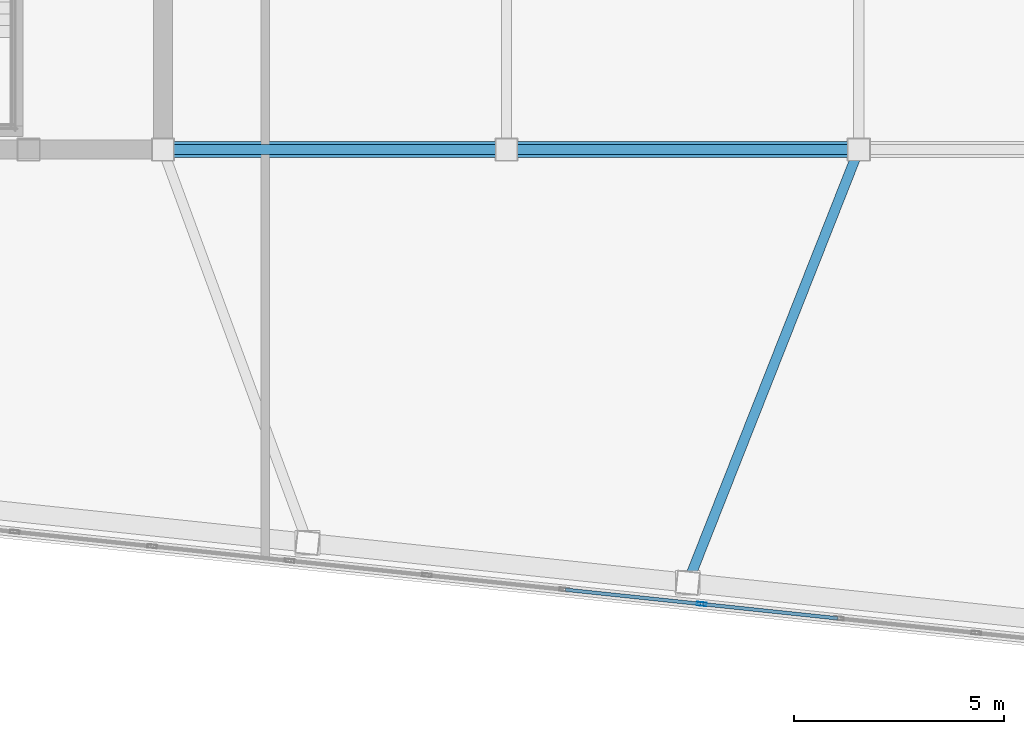
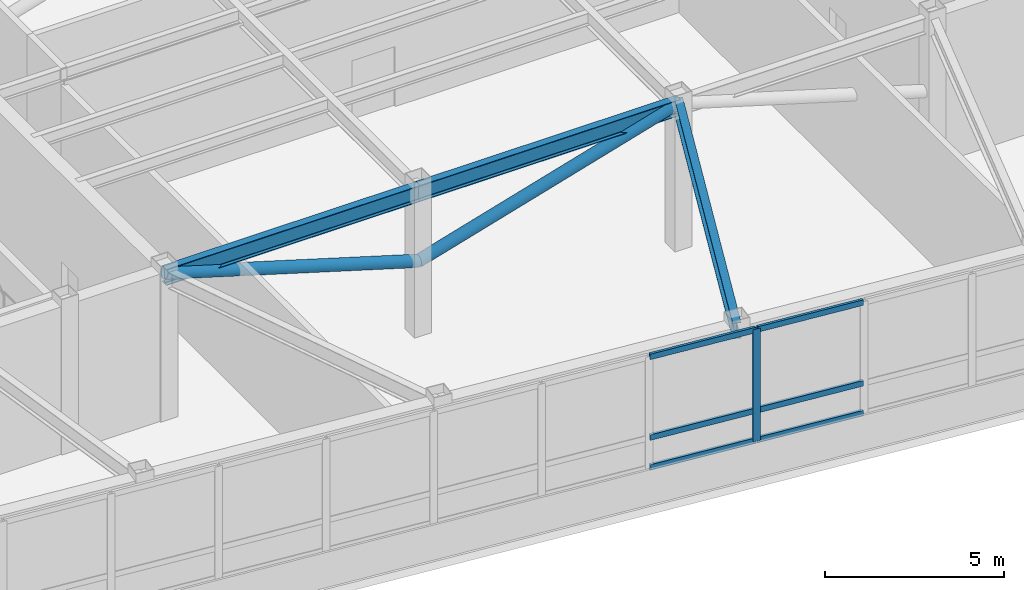
# One storey, part 5 of 23: 9 members, 3 beams, 1 element without a shape of its own.
"""IFC4 building model written with IfcOpenShell, lengths in metres."""

from ifc_helpers import new_model, si_unit, direction, frame, origin, origin_2d, place, context, subcontext, project, spatial, hollow_rectangle, hollow_circle, i_section, extrude, material, layer, layer_set, material_profile, profile_set, type_object, element, aggregate, save


model = new_model("IFC4")

# Units and contexts
model_context = context("Model", 3, precision=1e-05, world=origin(), true_north=direction((0.0, 1.0)))
body_context = subcontext(model_context, "Body", "Model", "MODEL_VIEW")
ifc_project = project(units=[si_unit("LENGTHUNIT", "METRE"), si_unit("AREAUNIT", "SQUARE_METRE"), si_unit("VOLUMEUNIT", "CUBIC_METRE"), si_unit("PLANEANGLEUNIT", "RADIAN"), si_unit("MASSUNIT", "GRAM", prefix="KILO")], contexts=[model_context])

# Site, building, storey
site_placement = place(None, origin())
site = spatial("IfcSite", under=ifc_project, at=site_placement, CompositionType="ELEMENT")
building_placement = place(site_placement, origin())
building = spatial("IfcBuilding", under=site, at=building_placement, Name="Voryun Gate Residences", CompositionType="ELEMENT")
storey_placement = place(building_placement, frame((0.0, 0.0, 321.300048828125)))
storey = spatial("IfcBuildingStorey", under=building, at=storey_placement, Name="L79", CompositionType="ELEMENT", Elevation=321.300048828125)

# Beams
ifc_material_1 = material(Name="Steel SM355", Category="steel")
ifc_material_profile_1 = material_profile(ifc_material_1, i_section(OverallWidth=0.239990234375, OverallDepth=0.550048828125, WebThickness=0.011962890625, FlangeThickness=0.02001953125, FilletRadius=0.01806640625, at=origin_2d()), Name="H-550x240x12x20")
ifc_profile_set_1 = profile_set([ifc_material_profile_1], Name="Steel SM355")
beam_type = type_object("IfcBeamType", Name="BM_GIRD_550", PredefinedType="USERDEFINED", material=ifc_profile_set_1)
beam_1_placement = place(storey_placement, frame((-12.39990234375, -7.39990234375, 4.75), z_axis=(1.0, 0.0, 0.0), x_axis=(0.0, 1.0, 0.0)))
element("IfcBeam", 1, at=beam_1_placement, inside=storey, type_object=beam_type, Name="BM-L79-SPG1-S", ObjectType="GIRDER", PredefinedType="USERDEFINED", context=body_context, shape_type="SweptSolid", body=[
    extrude(i_section(OverallWidth=0.239990234375, OverallDepth=0.550048828125, WebThickness=0.011962890625, FlangeThickness=0.02001953125, FilletRadius=0.01806640625, at=origin_2d()), origin(), (0.0, 0.0, 1.0), 8.199951171875),
])
beam_2_placement = place(storey_placement, frame((-4.199951171875, -7.39990234375, 4.75), z_axis=(1.0, 0.0, 0.0), x_axis=(0.0, 1.0, 0.0)))
element("IfcBeam", 2, at=beam_2_placement, inside=storey, type_object=beam_type, Name="BM-L79-SPG2-S", ObjectType="GIRDER", PredefinedType="USERDEFINED", context=body_context, shape_type="SweptSolid", body=[
    extrude(i_section(OverallWidth=0.239990234375, OverallDepth=0.550048828125, WebThickness=0.011962890625, FlangeThickness=0.02001953125, FilletRadius=0.01806640625, at=origin_2d()), origin(), (0.0, 0.0, 1.0), 8.39990234375),
])
beam_3_placement = place(storey_placement, frame((4.199951171875, -7.39990234375, 4.75), z_axis=(-0.367188053127, -0.930146726942, 0.0), x_axis=(0.930146726942, -0.367188053127, 0.0)))
element("IfcBeam", 3, at=beam_3_placement, inside=storey, type_object=beam_type, Name="BM-L79-RAD-S4", ObjectType="GIRDER", PredefinedType="USERDEFINED", context=body_context, shape_type="SweptSolid", body=[
    extrude(i_section(OverallWidth=0.239990234375, OverallDepth=0.550048828125, WebThickness=0.011962890625, FlangeThickness=0.02001953125, FilletRadius=0.01806640625, at=origin_2d()), origin(), (0.0, 0.0, 1.0), 11.107666015625),
])

# Curtain wall, members
ifc_material_2 = material(Name="Anodised aluminium", Category="aluminium")
ifc_layer = layer(ifc_material_2, 0.22998046875, Name="CW_SYS_LANTERN_DARK_GLASS")
ifc_layer_set = layer_set([ifc_layer], Name="Anodised aluminium")
curtain_wall_type = type_object("IfcCurtainWallType", Name="CW_SYS_LANTERN_DARK_GLASS", PredefinedType="NOTDEFINED", material=ifc_layer_set)
curtain_wall_placement = place(storey_placement, origin())
curtain_wall = element("IfcCurtainWall", 4, at=curtain_wall_placement, inside=storey, type_object=curtain_wall_type, Name="Curtain wall CW6-L79-01", PredefinedType="NOTDEFINED")
ifc_material_3 = material(Name="Anodised aluminium", Category="aluminium")
ifc_material_profile_2 = material_profile(ifc_material_3, hollow_rectangle(XDim=0.0849609375, YDim=0.22998046875, WallThickness=0.006103515625, at=origin_2d()), Name="ALU-MULL-230x85x6")
ifc_profile_set_2 = profile_set([ifc_material_profile_2], Name="Anodised aluminium")
member_type_1 = type_object("IfcMemberType", Name="CW_MULL_LANT", PredefinedType="MULLION", material=ifc_profile_set_2)
member_1_placement = place(storey_placement, frame((0.452392578125, -18.239013671875, 1.18994140625), z_axis=(0.0, 0.0, 1.0), x_axis=(-0.10452775858, -0.994521969434, 0.0)))
member_1 = element("IfcMember", 5, at=member_1_placement, type_object=member_type_1, Name="CW6 mullion 6", PredefinedType="MULLION", context=body_context, shape_type="SweptSolid", body=[
    extrude(hollow_rectangle(XDim=0.0849609375, YDim=0.22998046875, WallThickness=0.006103515625, at=origin_2d()), origin(), (0.0, 0.0, 1.0), 3.8349609375),
])
ifc_material_4 = material(Name="Anodised aluminium", Category="aluminium")
ifc_material_profile_3 = material_profile(ifc_material_4, hollow_rectangle(XDim=0.0849609375, YDim=0.18994140625, WallThickness=0.006103515625, at=origin_2d()), Name="ALU-TRAN-190x85x6")
ifc_profile_set_3 = profile_set([ifc_material_profile_3], Name="Anodised aluminium")
member_type_2 = type_object("IfcMemberType", Name="CW_TRAN_LANT", PredefinedType="USERDEFINED", material=ifc_profile_set_3)
member_2_placement = place(storey_placement, frame((3.698974609375, -18.580322265625, 1.219970703125), z_axis=(-0.994520745033, 0.104539407398, 0.0), x_axis=(-0.104539407398, -0.994520745033, 0.0)))
member_2 = element("IfcMember", 6, at=member_2_placement, type_object=member_type_2, Name="CW6 transom 5.1", ObjectType="TRANSOM", PredefinedType="USERDEFINED", context=body_context, shape_type="SweptSolid", body=[
    extrude(hollow_rectangle(XDim=0.0849609375, YDim=0.18994140625, WallThickness=0.006103515625, at=origin_2d()), origin(), (0.0, 0.0, 1.0), 3.234619140625),
])
member_3_placement = place(storey_placement, frame((3.698974609375, -18.580322265625, 2.239990234375), z_axis=(-0.994520745033, 0.104539407398, 0.0), x_axis=(-0.104539407398, -0.994520745033, 0.0)))
member_3 = element("IfcMember", 7, at=member_3_placement, type_object=member_type_2, Name="CW6 transom 5.2", ObjectType="TRANSOM", PredefinedType="USERDEFINED", context=body_context, shape_type="SweptSolid", body=[
    extrude(hollow_rectangle(XDim=0.0849609375, YDim=0.18994140625, WallThickness=0.006103515625, at=origin_2d()), origin(), (0.0, 0.0, 1.0), 3.234619140625),
])
member_4_placement = place(storey_placement, frame((3.698974609375, -18.580322265625, 4.994873046875), z_axis=(-0.994520745033, 0.104539407398, 0.0), x_axis=(-0.104539407398, -0.994520745033, 0.0)))
member_4 = element("IfcMember", 8, at=member_4_placement, type_object=member_type_2, Name="CW6 transom 5.3", ObjectType="TRANSOM", PredefinedType="USERDEFINED", context=body_context, shape_type="SweptSolid", body=[
    extrude(hollow_rectangle(XDim=0.0849609375, YDim=0.18994140625, WallThickness=0.006103515625, at=origin_2d()), origin(), (0.0, 0.0, 1.0), 3.234619140625),
])
member_5_placement = place(storey_placement, frame((0.42236328125, -18.23583984375, 1.219970703125), z_axis=(-0.994520745033, 0.104539407398, 0.0), x_axis=(-0.104539407398, -0.994520745033, 0.0)))
member_5 = element("IfcMember", 9, at=member_5_placement, type_object=member_type_2, Name="CW6 transom 6.1", ObjectType="TRANSOM", PredefinedType="USERDEFINED", context=body_context, shape_type="SweptSolid", body=[
    extrude(hollow_rectangle(XDim=0.0849609375, YDim=0.18994140625, WallThickness=0.006103515625, at=origin_2d()), origin(), (0.0, 0.0, 1.0), 3.234619140625),
])
member_6_placement = place(storey_placement, frame((0.42236328125, -18.23583984375, 2.239990234375), z_axis=(-0.994520745033, 0.104539407398, 0.0), x_axis=(-0.104539407398, -0.994520745033, 0.0)))
member_6 = element("IfcMember", 10, at=member_6_placement, type_object=member_type_2, Name="CW6 transom 6.2", ObjectType="TRANSOM", PredefinedType="USERDEFINED", context=body_context, shape_type="SweptSolid", body=[
    extrude(hollow_rectangle(XDim=0.0849609375, YDim=0.18994140625, WallThickness=0.006103515625, at=origin_2d()), origin(), (0.0, 0.0, 1.0), 3.234619140625),
])
member_7_placement = place(storey_placement, frame((0.42236328125, -18.23583984375, 4.994873046875), z_axis=(-0.994520745033, 0.104539407398, 0.0), x_axis=(-0.104539407398, -0.994520745033, 0.0)))
member_7 = element("IfcMember", 11, at=member_7_placement, type_object=member_type_2, Name="CW6 transom 6.3", ObjectType="TRANSOM", PredefinedType="USERDEFINED", context=body_context, shape_type="SweptSolid", body=[
    extrude(hollow_rectangle(XDim=0.0849609375, YDim=0.18994140625, WallThickness=0.006103515625, at=origin_2d()), origin(), (0.0, 0.0, 1.0), 3.234619140625),
])
aggregate(curtain_wall, [member_1, member_2, member_3, member_4, member_5, member_6, member_7])

# Members
ifc_material_5 = material(Name="Steel SM355", Category="steel")
ifc_material_profile_4 = material_profile(ifc_material_5, hollow_circle(Radius=0.18994140625, WallThickness=0.01806640625, at=origin_2d()), Name="CHS-380x18")
ifc_profile_set_4 = profile_set([ifc_material_profile_4], Name="Steel SM355")
member_type_3 = type_object("IfcMemberType", Name="MBR_CROWN_DIAGRID", PredefinedType="BRACE", material=ifc_profile_set_4)
member_8_placement = place(storey_placement, frame((-4.199951171875, -7.39990234375, 2.3798828125), z_axis=(-0.957662114733, 0.0, 0.287894553621), x_axis=(0.0, -1.0, 0.0)))
element("IfcMember", 12, at=member_8_placement, inside=storey, type_object=member_type_3, Name="L79 Lantern Spine Diagrid Brace 01", PredefinedType="BRACE", context=body_context, shape_type="SweptSolid", body=[
    extrude(hollow_circle(Radius=0.18994140625, WallThickness=0.01806640625, at=origin_2d()), origin(), (0.0, 0.0, 1.0), 8.5625),
])
member_9_placement = place(storey_placement, frame((-4.199951171875, -7.39990234375, 2.3798828125), z_axis=(0.959534525743, 0.0, 0.281591004663), x_axis=(0.0, 1.0, 0.0)))
element("IfcMember", 13, at=member_9_placement, inside=storey, type_object=member_type_3, Name="L79 Lantern Spine Diagrid Brace 02", PredefinedType="BRACE", context=body_context, shape_type="SweptSolid", body=[
    extrude(hollow_circle(Radius=0.18994140625, WallThickness=0.01806640625, at=origin_2d()), origin(), (0.0, 0.0, 1.0), 8.754150390625),
])

save(model, "model.ifc")
